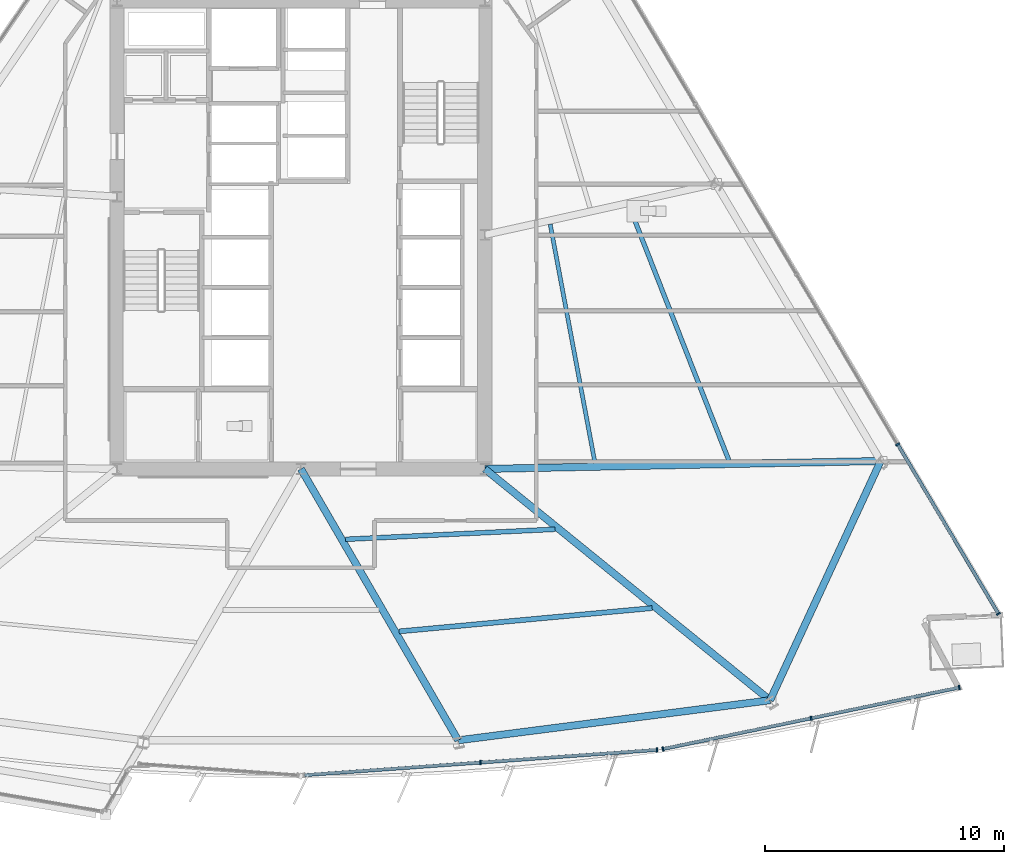
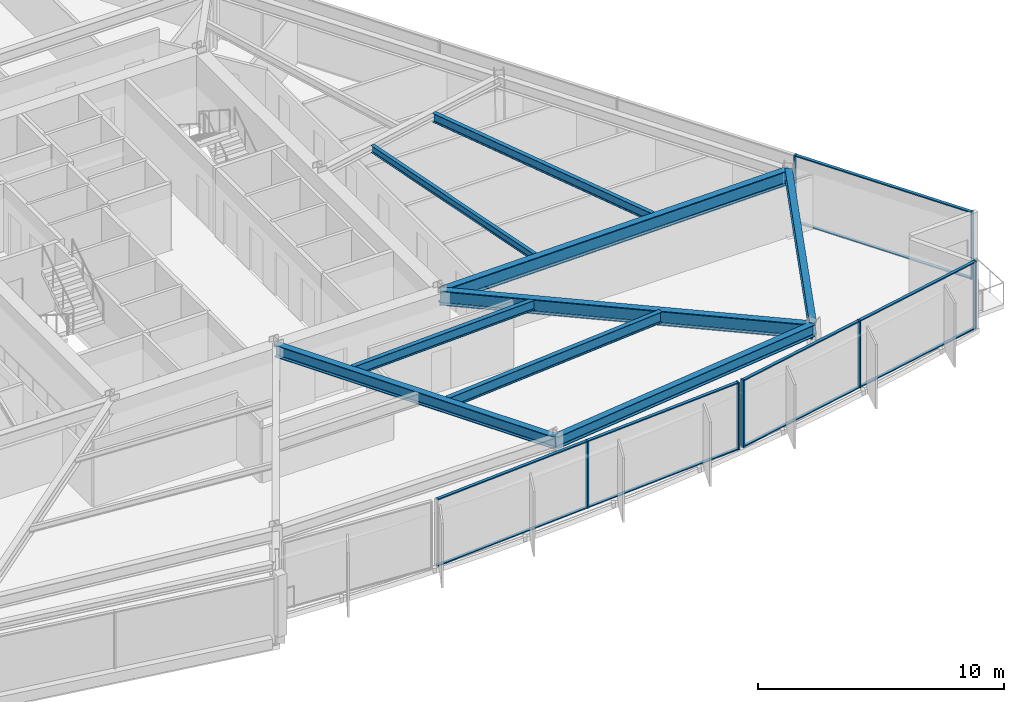
# One storey, part 5 of 17: 17 members, 9 beams, 3 elements without a shape of their own.
"""IFC4 building model written with IfcOpenShell, lengths in metres."""

from ifc_helpers import new_model, si_unit, direction, frame, origin, origin_2d, place, context, subcontext, project, spatial, rectangle, i_section, extrude, material, material_profile, profile_set, type_object, element, aggregate, save


model = new_model("IFC4")

# Units and contexts
model_context = context("Model", 3, precision=1e-05, world=origin(), true_north=direction((0.0, 1.0)))
body_context = subcontext(model_context, "Body", "Model", "MODEL_VIEW")
ifc_project = project(units=[si_unit("LENGTHUNIT", "METRE"), si_unit("AREAUNIT", "SQUARE_METRE"), si_unit("VOLUMEUNIT", "CUBIC_METRE"), si_unit("PLANEANGLEUNIT", "RADIAN"), si_unit("MASSUNIT", "GRAM", prefix="KILO")], contexts=[model_context])

# Site, building, storey
site_placement = place(None, origin())
site = spatial("IfcSite", under=ifc_project, at=site_placement, CompositionType="ELEMENT")
building_placement = place(site_placement, origin())
building = spatial("IfcBuilding", under=site, at=building_placement, Name="Savorim Split Tower", CompositionType="ELEMENT")
storey_placement = place(building_placement, frame((0.0, 0.0, 58.800048828125)))
storey = spatial("IfcBuildingStorey", under=building, at=storey_placement, Name="L15", CompositionType="ELEMENT", Elevation=58.800048828125)

# Beams
ifc_material_1 = material(Name="Steel S355", Category="steel")
ifc_material_profile_1 = material_profile(ifc_material_1, i_section(OverallWidth=0.169921875, OverallDepth=0.360107421875, WebThickness=0.008056640625, FlangeThickness=0.0126953125, FilletRadius=0.01806640625, at=origin_2d()), Name="IPE 360")
ifc_profile_set_1 = profile_set([ifc_material_profile_1], Name="Steel S355")
beam_type_1 = type_object("IfcBeamType", Name="BM-JST-IPE360", PredefinedType="JOIST", material=ifc_profile_set_1)
beam_1_placement = place(storey_placement, frame((12.311279296875, -9.1494140625, 3.169921875), z_axis=(-0.184368274196, 0.982857232496, 0.0), x_axis=(-0.982857232496, -0.184368274196, 0.0)))
element("IfcBeam", 1, at=beam_1_placement, inside=storey, type_object=beam_type_1, Name="L15 Secondary Floor Joist JS-08", PredefinedType="JOIST", context=body_context, shape_type="SweptSolid", body=[
    extrude(i_section(OverallWidth=0.169921875, OverallDepth=0.360107421875, WebThickness=0.008056640625, FlangeThickness=0.0126953125, FilletRadius=0.01806640625, at=origin_2d()), origin(), (0.0, 0.0, 1.0), 10.167236328125),
])
ifc_material_profile_2 = material_profile(ifc_material_1, i_section(OverallWidth=0.18994140625, OverallDepth=0.449951171875, WebThickness=0.009521484375, FlangeThickness=0.0146484375, FilletRadius=0.02099609375, at=origin_2d()), Name="IPE 450")
ifc_profile_set_2 = profile_set([ifc_material_profile_2], Name="Steel S355")
beam_type_2 = type_object("IfcBeamType", Name="BM-JST-IPE450", PredefinedType="JOIST", material=ifc_profile_set_2)
beam_2_placement = place(storey_placement, frame((17.91748046875, -9.044677734375, 3.125), z_axis=(-0.364916298588, 0.93104032943, 0.0), x_axis=(-0.93104032943, -0.364916298588, 0.0)))
element("IfcBeam", 2, at=beam_2_placement, inside=storey, type_object=beam_type_2, Name="L15 Secondary Floor Joist JS-06", PredefinedType="JOIST", context=body_context, shape_type="SweptSolid", body=[
    extrude(i_section(OverallWidth=0.18994140625, OverallDepth=0.449951171875, WebThickness=0.009521484375, FlangeThickness=0.0146484375, FilletRadius=0.02099609375, at=origin_2d()), origin(), (0.0, 0.0, 1.0), 11.4130859375),
])
ifc_material_profile_3 = material_profile(ifc_material_1, i_section(OverallWidth=0.199951171875, OverallDepth=0.5, WebThickness=0.01025390625, FlangeThickness=0.01611328125, FilletRadius=0.02099609375, at=origin_2d()), Name="IPE 500")
ifc_profile_set_3 = profile_set([ifc_material_profile_3], Name="Steel S355")
beam_type_3 = type_object("IfcBeamType", Name="BM-JST-IPE500", PredefinedType="JOIST", material=ifc_profile_set_3)
beam_3_placement = place(storey_placement, frame((1.871337890625, -12.346435546875, 3.099853515625), z_axis=(0.998852615536, 0.047890003522, 0.0), x_axis=(-0.047890003522, 0.998852615536, 0.0)))
element("IfcBeam", 3, at=beam_3_placement, inside=storey, type_object=beam_type_3, Name="L15 Secondary Floor Joist JS-05", PredefinedType="JOIST", context=body_context, shape_type="SweptSolid", body=[
    extrude(i_section(OverallWidth=0.199951171875, OverallDepth=0.5, WebThickness=0.01025390625, FlangeThickness=0.01611328125, FilletRadius=0.02099609375, at=origin_2d()), origin(), (0.0, 0.0, 1.0), 8.78369140625),
])
ifc_material_profile_4 = material_profile(ifc_material_1, i_section(OverallWidth=0.2099609375, OverallDepth=0.550048828125, WebThickness=0.010986328125, FlangeThickness=0.01708984375, FilletRadius=0.02392578125, at=origin_2d()), Name="IPE 550")
ifc_profile_set_4 = profile_set([ifc_material_profile_4], Name="Steel S355")
beam_type_4 = type_object("IfcBeamType", Name="BM-JST-IPE550", PredefinedType="JOIST", material=ifc_profile_set_4)
beam_4_placement = place(storey_placement, frame((4.109130859375, -16.202392578125, 3.074951171875), z_axis=(0.995780365401, 0.091768534273, 0.0), x_axis=(-0.091768534273, 0.995780365401, 0.0)))
element("IfcBeam", 4, at=beam_4_placement, inside=storey, type_object=beam_type_4, Name="L15 Secondary Floor Joist JS-04", PredefinedType="JOIST", context=body_context, shape_type="SweptSolid", body=[
    extrude(i_section(OverallWidth=0.2099609375, OverallDepth=0.550048828125, WebThickness=0.010986328125, FlangeThickness=0.01708984375, FilletRadius=0.02392578125, at=origin_2d()), origin(), (0.0, 0.0, 1.0), 10.6416015625),
])
ifc_material_profile_5 = material_profile(ifc_material_1, i_section(OverallWidth=0.300048828125, OverallDepth=0.60009765625, WebThickness=0.015380859375, FlangeThickness=0.030029296875, FilletRadius=0.027099609375, at=origin_2d()), Name="HEB 600")
ifc_profile_set_5 = profile_set([ifc_material_profile_5], Name="Steel S355")
beam_type_5 = type_object("IfcBeamType", Name="BM-PRI-HEB600", PredefinedType="BEAM", material=ifc_profile_set_5)
beam_5_placement = place(storey_placement, frame((6.5830078125, -20.76171875, 3.050048828125), z_axis=(-0.501327935898, 0.865257360956, 0.0), x_axis=(-0.865257360956, -0.501327935898, 0.0)))
element("IfcBeam", 5, at=beam_5_placement, inside=storey, type_object=beam_type_5, Name="L15 Primary Floor Girder RG-03", PredefinedType="BEAM", context=body_context, shape_type="SweptSolid", body=[
    extrude(i_section(OverallWidth=0.300048828125, OverallDepth=0.60009765625, WebThickness=0.015380859375, FlangeThickness=0.030029296875, FilletRadius=0.027099609375, at=origin_2d()), origin(), (0.0, 0.0, 1.0), 13.131103515625),
])
ifc_material_2 = material(Name="Steel S460", Category="steel")
ifc_material_profile_6 = material_profile(ifc_material_2, i_section(OverallWidth=0.303955078125, OverallDepth=0.716064453125, WebThickness=0.02099609375, FlangeThickness=0.0400390625, FilletRadius=0.027099609375, at=origin_2d()), Name="HE 700 M")
ifc_profile_set_6 = profile_set([ifc_material_profile_6], Name="Steel S460")
beam_type_6 = type_object("IfcBeamType", Name="BM-PRI-HEM700", PredefinedType="BEAM", material=ifc_profile_set_6)
beam_6_placement = place(storey_placement, frame((19.6416015625, -19.085205078125, 2.991943359375), z_axis=(-0.776663996605, 0.629915102515, 0.0), x_axis=(-0.629915102515, -0.776663996605, 0.0)))
element("IfcBeam", 6, at=beam_6_placement, inside=storey, type_object=beam_type_6, Name="L15 Primary Floor Girder RG-04", PredefinedType="BEAM", context=body_context, shape_type="SweptSolid", body=[
    extrude(i_section(OverallWidth=0.303955078125, OverallDepth=0.716064453125, WebThickness=0.02099609375, FlangeThickness=0.0400390625, FilletRadius=0.027099609375, at=origin_2d()), origin(), (0.0, 0.0, 1.0), 15.37548828125),
])
beam_7_placement = place(storey_placement, frame((24.273681640625, -9.067138671875, 2.991943359375), z_axis=(-0.999798502345, -0.020073731825, 0.0), x_axis=(0.020073731825, -0.999798502345, 0.0)))
element("IfcBeam", 7, at=beam_7_placement, inside=storey, type_object=beam_type_6, Name="L15 Primary Floor Girder RG-05", PredefinedType="BEAM", context=body_context, shape_type="SweptSolid", body=[
    extrude(i_section(OverallWidth=0.303955078125, OverallDepth=0.716064453125, WebThickness=0.02099609375, FlangeThickness=0.0400390625, FilletRadius=0.027099609375, at=origin_2d()), origin(), (0.0, 0.0, 1.0), 16.5771484375),
])
ifc_material_profile_7 = material_profile(ifc_material_1, i_section(OverallWidth=0.300048828125, OverallDepth=0.590087890625, WebThickness=0.012939453125, FlangeThickness=0.02490234375, FilletRadius=0.027099609375, at=origin_2d()), Name="HEA 600")
ifc_profile_set_7 = profile_set([ifc_material_profile_7], Name="Steel S355")
beam_type_7 = type_object("IfcBeamType", Name="BM-SPN-HEA600", PredefinedType="SPANDREL", material=ifc_profile_set_7)
beam_8_placement = place(storey_placement, frame((6.5830078125, -20.76171875, 3.054931640625), z_axis=(0.99185927949, 0.127338798838, 0.0), x_axis=(-0.127338798838, 0.99185927949, 0.0)))
element("IfcBeam", 8, at=beam_8_placement, inside=storey, type_object=beam_type_7, Name="L15 Perimeter Spandrel Beam 3", PredefinedType="SPANDREL", context=body_context, shape_type="SweptSolid", body=[
    extrude(i_section(OverallWidth=0.300048828125, OverallDepth=0.590087890625, WebThickness=0.012939453125, FlangeThickness=0.02490234375, FilletRadius=0.027099609375, at=origin_2d()), origin(), (0.0, 0.0, 1.0), 13.165771484375),
])
beam_9_placement = place(storey_placement, frame((19.6416015625, -19.085205078125, 3.054931640625), z_axis=(0.419682293344, 0.907671070737, 0.0), x_axis=(-0.907671070737, 0.419682293344, 0.0)))
element("IfcBeam", 9, at=beam_9_placement, inside=storey, type_object=beam_type_7, Name="L15 Perimeter Spandrel Beam 4", PredefinedType="SPANDREL", context=body_context, shape_type="SweptSolid", body=[
    extrude(i_section(OverallWidth=0.300048828125, OverallDepth=0.590087890625, WebThickness=0.012939453125, FlangeThickness=0.02490234375, FilletRadius=0.027099609375, at=origin_2d()), origin(), (0.0, 0.0, 1.0), 11.037109375),
])

# Curtain wall, members
ifc_material_3 = material(Name="Dark Ceramic-Fritted Insulated Glass", Category="glass")
curtain_wall_type = type_object("IfcCurtainWallType", Name="CW-TWR-FRIT-A", PredefinedType="NOTDEFINED", material=ifc_material_3)
curtain_wall_1_placement = place(storey_placement, origin())
curtain_wall_1 = element("IfcCurtainWall", 10, at=curtain_wall_1_placement, inside=storey, type_object=curtain_wall_type, Name="L15 Curtain Wall CW-L15-SF3A", PredefinedType="NOTDEFINED")
ifc_material_4 = material(Name="Charcoal Anodised Aluminium", Category="aluminium")
ifc_material_profile_8 = material_profile(ifc_material_4, rectangle(XDim=0.179931640625, YDim=0.06494140625, at=origin_2d()), Name="ALU-M 180x65")
ifc_profile_set_8 = profile_set([ifc_material_profile_8], Name="Charcoal Anodised Aluminium")
member_type_1 = type_object("IfcMemberType", Name="CWM-180x65", PredefinedType="MULLION", material=ifc_profile_set_8)
member_1_placement = place(storey_placement, frame((7.51708984375, -21.69091796875, 0.0), z_axis=(0.0, 0.0, 1.0), x_axis=(-0.071558708634, 0.99743638956, 0.0)))
member_1 = element("IfcMember", 11, at=member_1_placement, type_object=member_type_1, Name="CW-02 mullion 2", PredefinedType="MULLION", context=body_context, shape_type="SweptSolid", body=[
    extrude(rectangle(XDim=0.179931640625, YDim=0.06494140625, at=origin_2d()), origin(), (0.0, 0.0, 1.0), 3.349853515625),
])
member_2_placement = place(storey_placement, frame((14.910400390625, -21.160400390625, 0.0), z_axis=(0.0, 0.0, 1.0), x_axis=(-0.071558708634, 0.99743638956, 0.0)))
member_2 = element("IfcMember", 12, at=member_2_placement, type_object=member_type_1, Name="CW-02 mullion 3", PredefinedType="MULLION", context=body_context, shape_type="SweptSolid", body=[
    extrude(rectangle(XDim=0.179931640625, YDim=0.06494140625, at=origin_2d()), origin(), (0.0, 0.0, 1.0), 3.349853515625),
])

curtain_wall_2_placement = place(storey_placement, origin())
curtain_wall_2 = element("IfcCurtainWall", 13, at=curtain_wall_2_placement, inside=storey, type_object=curtain_wall_type, Name="L15 Curtain Wall CW-L15-SF4A", PredefinedType="NOTDEFINED")
member_3_placement = place(storey_placement, frame((15.156494140625, -21.126220703125, 0.0), z_axis=(0.0, 0.0, 1.0), x_axis=(-0.203216172809, 0.979133896415, 0.0)))
member_3 = element("IfcMember", 14, at=member_3_placement, type_object=member_type_1, Name="CW-02 mullion 1", PredefinedType="MULLION", context=body_context, shape_type="SweptSolid", body=[
    extrude(rectangle(XDim=0.179931640625, YDim=0.06494140625, at=origin_2d()), origin(), (0.0, 0.0, 1.0), 3.349853515625),
])
member_4_placement = place(storey_placement, frame((21.3603515625, -19.838623046875, 0.0), z_axis=(0.0, 0.0, 1.0), x_axis=(-0.203216172809, 0.979133896415, 0.0)))
member_4 = element("IfcMember", 15, at=member_4_placement, type_object=member_type_1, Name="CW-02 mullion 2", PredefinedType="MULLION", context=body_context, shape_type="SweptSolid", body=[
    extrude(rectangle(XDim=0.179931640625, YDim=0.06494140625, at=origin_2d()), origin(), (0.0, 0.0, 1.0), 3.349853515625),
])
member_5_placement = place(storey_placement, frame((27.564208984375, -18.551025390625, 0.0), z_axis=(0.0, 0.0, 1.0), x_axis=(-0.203216172809, 0.979133896415, 0.0)))
member_5 = element("IfcMember", 16, at=member_5_placement, type_object=member_type_1, Name="CW-02 mullion 3", PredefinedType="MULLION", context=body_context, shape_type="SweptSolid", body=[
    extrude(rectangle(XDim=0.179931640625, YDim=0.06494140625, at=origin_2d()), origin(), (0.0, 0.0, 1.0), 3.349853515625),
])

curtain_wall_3_placement = place(storey_placement, origin())
curtain_wall_3 = element("IfcCurtainWall", 17, at=curtain_wall_3_placement, inside=storey, type_object=curtain_wall_type, Name="L15 Curtain Wall CW-L15-EAST", PredefinedType="NOTDEFINED")
member_6_placement = place(storey_placement, frame((29.2041015625, -15.4658203125, 0.0), z_axis=(0.0, 0.0, 1.0), x_axis=(-0.859525822673, -0.511092320583, 0.0)))
member_6 = element("IfcMember", 18, at=member_6_placement, type_object=member_type_1, Name="CW-02 mullion 1", PredefinedType="MULLION", context=body_context, shape_type="SweptSolid", body=[
    extrude(rectangle(XDim=0.179931640625, YDim=0.06494140625, at=origin_2d()), origin(), (0.0, 0.0, 1.0), 3.349853515625),
])
member_7_placement = place(storey_placement, frame((24.9853515625, -8.371337890625, 0.0), z_axis=(0.0, 0.0, 1.0), x_axis=(-0.859525822673, -0.511092320583, 0.0)))
member_7 = element("IfcMember", 19, at=member_7_placement, type_object=member_type_1, Name="CW-02 mullion 2", PredefinedType="MULLION", context=body_context, shape_type="SweptSolid", body=[
    extrude(rectangle(XDim=0.179931640625, YDim=0.06494140625, at=origin_2d()), origin(), (0.0, 0.0, 1.0), 3.349853515625),
])

# Member
ifc_material_profile_9 = material_profile(ifc_material_4, rectangle(XDim=0.139892578125, YDim=0.054931640625, at=origin_2d()), Name="ALU-T 140x55")
ifc_profile_set_9 = profile_set([ifc_material_profile_9], Name="Charcoal Anodised Aluminium")
member_type_2 = type_object("IfcMemberType", Name="CWT-140x55", PredefinedType="USERDEFINED", material=ifc_profile_set_9)
member_8_placement = place(storey_placement, frame((0.156005859375, -22.218994140625, 0.02734375), z_axis=(0.997435370197, 0.071572915831, 0.0), x_axis=(-0.071572915831, 0.997435370197, 0.0)))
member_8 = element("IfcMember", 20, at=member_8_placement, type_object=member_type_2, Name="CW-02 transom 1.1", ObjectType="TRANSOM", PredefinedType="USERDEFINED", context=body_context, shape_type="SweptSolid", body=[
    extrude(rectangle(XDim=0.139892578125, YDim=0.054931640625, at=origin_2d()), origin(), (0.0, 0.0, 1.0), 7.347412109375),
])

member_9_placement = place(storey_placement, frame((0.156005859375, -22.218994140625, 3.322509765625), z_axis=(0.997435370197, 0.071572915831, 0.0), x_axis=(-0.071572915831, 0.997435370197, 0.0)))
member_9 = element("IfcMember", 21, at=member_9_placement, type_object=member_type_2, Name="CW-02 transom 1.2", ObjectType="TRANSOM", PredefinedType="USERDEFINED", context=body_context, shape_type="SweptSolid", body=[
    extrude(rectangle(XDim=0.139892578125, YDim=0.054931640625, at=origin_2d()), origin(), (0.0, 0.0, 1.0), 7.347412109375),
])

member_10_placement = place(storey_placement, frame((7.549560546875, -21.6884765625, 0.02734375), z_axis=(0.997437741774, 0.07153985802, 0.0), x_axis=(-0.07153985802, 0.997437741774, 0.0)))
member_10 = element("IfcMember", 22, at=member_10_placement, type_object=member_type_2, Name="CW-02 transom 2.1", ObjectType="TRANSOM", PredefinedType="USERDEFINED", context=body_context, shape_type="SweptSolid", body=[
    extrude(rectangle(XDim=0.139892578125, YDim=0.054931640625, at=origin_2d()), origin(), (0.0, 0.0, 1.0), 7.347412109375),
])

member_11_placement = place(storey_placement, frame((7.549560546875, -21.6884765625, 3.322509765625), z_axis=(0.997437741774, 0.07153985802, 0.0), x_axis=(-0.07153985802, 0.997437741774, 0.0)))
member_11 = element("IfcMember", 23, at=member_11_placement, type_object=member_type_2, Name="CW-02 transom 2.2", ObjectType="TRANSOM", PredefinedType="USERDEFINED", context=body_context, shape_type="SweptSolid", body=[
    extrude(rectangle(XDim=0.139892578125, YDim=0.054931640625, at=origin_2d()), origin(), (0.0, 0.0, 1.0), 7.347412109375),
])

aggregate(curtain_wall_1, [member_1, member_2, member_8, member_9, member_10, member_11])

member_12_placement = place(storey_placement, frame((15.188232421875, -21.11962890625, 0.02734375), z_axis=(0.979133983621, 0.203215752634, 0.0), x_axis=(-0.203215752634, 0.979133983621, 0.0)))
member_12 = element("IfcMember", 24, at=member_12_placement, type_object=member_type_2, Name="CW-02 transom 1.1", ObjectType="TRANSOM", PredefinedType="USERDEFINED", context=body_context, shape_type="SweptSolid", body=[
    extrude(rectangle(XDim=0.139892578125, YDim=0.054931640625, at=origin_2d()), origin(), (0.0, 0.0, 1.0), 6.271240234375),
])

member_13_placement = place(storey_placement, frame((15.188232421875, -21.11962890625, 3.322509765625), z_axis=(0.979133983621, 0.203215752634, 0.0), x_axis=(-0.203215752634, 0.979133983621, 0.0)))
member_13 = element("IfcMember", 25, at=member_13_placement, type_object=member_type_2, Name="CW-02 transom 1.2", ObjectType="TRANSOM", PredefinedType="USERDEFINED", context=body_context, shape_type="SweptSolid", body=[
    extrude(rectangle(XDim=0.139892578125, YDim=0.054931640625, at=origin_2d()), origin(), (0.0, 0.0, 1.0), 6.271240234375),
])

member_14_placement = place(storey_placement, frame((21.392333984375, -19.83203125, 0.02734375), z_axis=(0.979132375842, 0.203223499081, 0.0), x_axis=(-0.203223499081, 0.979132375842, 0.0)))
member_14 = element("IfcMember", 26, at=member_14_placement, type_object=member_type_2, Name="CW-02 transom 2.1", ObjectType="TRANSOM", PredefinedType="USERDEFINED", context=body_context, shape_type="SweptSolid", body=[
    extrude(rectangle(XDim=0.139892578125, YDim=0.054931640625, at=origin_2d()), origin(), (0.0, 0.0, 1.0), 6.27099609375),
])

member_15_placement = place(storey_placement, frame((21.392333984375, -19.83203125, 3.322509765625), z_axis=(0.979132375842, 0.203223499081, 0.0), x_axis=(-0.203223499081, 0.979132375842, 0.0)))
member_15 = element("IfcMember", 27, at=member_15_placement, type_object=member_type_2, Name="CW-02 transom 2.2", ObjectType="TRANSOM", PredefinedType="USERDEFINED", context=body_context, shape_type="SweptSolid", body=[
    extrude(rectangle(XDim=0.139892578125, YDim=0.054931640625, at=origin_2d()), origin(), (0.0, 0.0, 1.0), 6.27099609375),
])

aggregate(curtain_wall_2, [member_3, member_4, member_5, member_12, member_13, member_14, member_15])

member_16_placement = place(storey_placement, frame((29.1875, -15.43798828125, 0.02734375), z_axis=(-0.511102775567, 0.859519605831, 0.0), x_axis=(-0.859519605831, -0.511102775567, 0.0)))
member_16 = element("IfcMember", 28, at=member_16_placement, type_object=member_type_2, Name="CW-02 transom 1.1", ObjectType="TRANSOM", PredefinedType="USERDEFINED", context=body_context, shape_type="SweptSolid", body=[
    extrude(rectangle(XDim=0.139892578125, YDim=0.054931640625, at=origin_2d()), origin(), (0.0, 0.0, 1.0), 8.189208984375),
])

member_17_placement = place(storey_placement, frame((29.1875, -15.43798828125, 3.322509765625), z_axis=(-0.511102775567, 0.859519605831, 0.0), x_axis=(-0.859519605831, -0.511102775567, 0.0)))
member_17 = element("IfcMember", 29, at=member_17_placement, type_object=member_type_2, Name="CW-02 transom 1.2", ObjectType="TRANSOM", PredefinedType="USERDEFINED", context=body_context, shape_type="SweptSolid", body=[
    extrude(rectangle(XDim=0.139892578125, YDim=0.054931640625, at=origin_2d()), origin(), (0.0, 0.0, 1.0), 8.189208984375),
])

aggregate(curtain_wall_3, [member_6, member_7, member_16, member_17])

save(model, "model.ifc")
